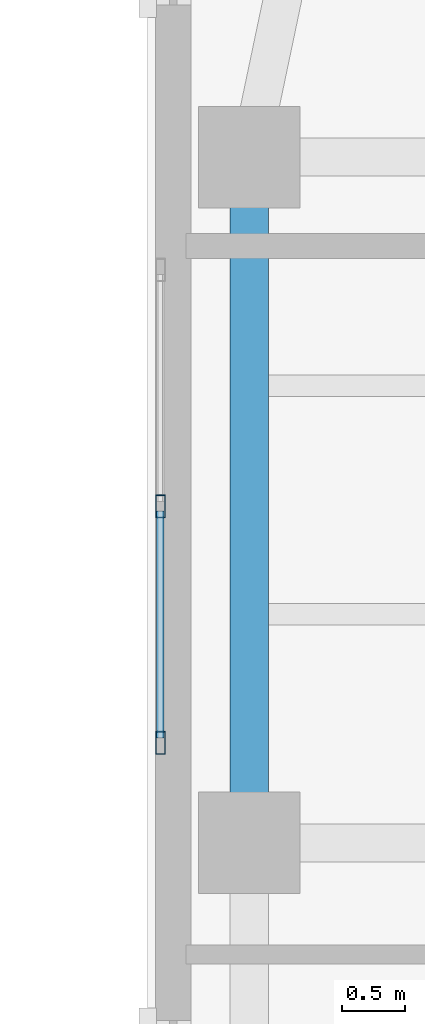
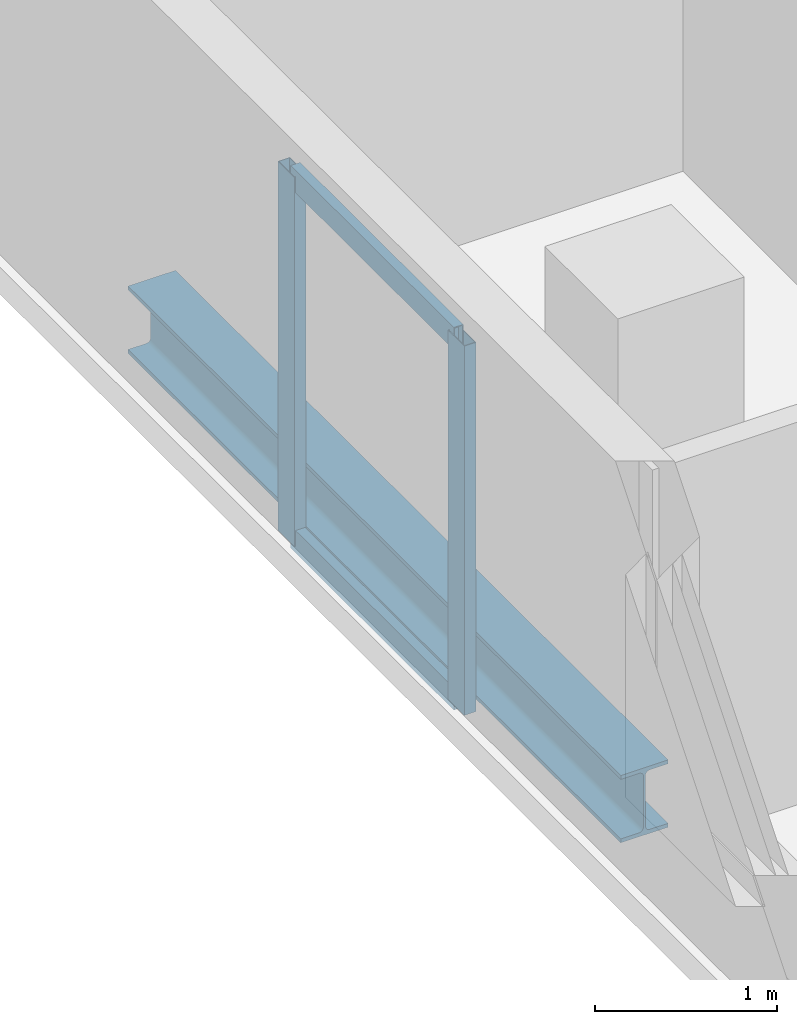
# One storey, part 4 of 11: 4 members, 1 beam, 1 element without a shape of its own.
"""IFC4 building model written with IfcOpenShell, lengths in metres."""

import ifcopenshell
import ifcopenshell.guid

model = None  # the IFC model being written
_history = None  # IfcOwnerHistory: only IFC2X3 demands one
_inside = {}  # id of a spatial element -> (the spatial element, [elements in it])
_under = {}  # id of a project, library or spatial element -> (it, [spatial elements below it])
_declared = {}  # id of a project -> (the project, [libraries it declares])
_typed = {}  # id of a type object -> (the type object, [elements of that type])
_made_of = {}  # id of a material, layer set ... -> (it, [elements and type objects made of it])


def new_model(schema):
    """Start an empty IFC model of exactly this schema.

    Asked for "IFC4X3", IfcOpenShell would pick the latest addendum, in which some entities
    have other attributes; the version numbers below select the first issue.
    IFC2X3 requires an IfcOwnerHistory on every rooted entity: one is made here for all.
    """
    global model, _history
    if schema == "IFC4X3":
        model = ifcopenshell.file(schema_version=(4, 3, 0, 0))
    else:
        model = ifcopenshell.file(schema=schema)
    _inside.clear()
    _under.clear()
    _declared.clear()
    _typed.clear()
    _made_of.clear()
    _history = None
    if model.schema == "IFC2X3":
        org = make("IfcOrganization", Name="unknown")
        user = make(
            "IfcPersonAndOrganization",
            ThePerson=make("IfcPerson", FamilyName="unknown"),
            TheOrganization=org,
        )
        app = make(
            "IfcApplication",
            ApplicationDeveloper=org,
            Version="unknown",
            ApplicationFullName="unknown",
            ApplicationIdentifier="unknown",
        )
        _history = make(
            "IfcOwnerHistory",
            OwningUser=user,
            OwningApplication=app,
            ChangeAction="ADDED",
            CreationDate=0,
        )
    return model


def make(cls, **values):
    """One entity of the class cls with the attributes given. An attribute that is None is left unset."""
    return model.create_entity(
        cls, **{name: value for name, value in values.items() if value is not None}
    )


def rooted(cls, **values):
    """An entity with a GlobalId (a new one), such as an element, a storey or a relation."""
    return make(cls, GlobalId=ifcopenshell.guid.new(), OwnerHistory=_history, **values)


def si_unit(unit_type, name, prefix=None):
    """IfcSIUnit, for example si_unit("LENGTHUNIT", "METRE", prefix="MILLI")."""
    return make("IfcSIUnit", UnitType=unit_type, Prefix=prefix, Name=name)


def assignment(units):
    """IfcUnitAssignment: the units of a project."""
    return None if units is None else make("IfcUnitAssignment", Units=units)


def point(xyz):
    """IfcCartesianPoint."""
    return None if xyz is None else make("IfcCartesianPoint", Coordinates=xyz)


def direction(xyz):
    """IfcDirection."""
    return None if xyz is None else make("IfcDirection", DirectionRatios=xyz)


def frame(location, z_axis=None, x_axis=None):
    """IfcAxis2Placement3D, a coordinate frame: its origin and axes. An axis left out is left unset."""
    return make(
        "IfcAxis2Placement3D",
        Location=point(location),
        Axis=direction(z_axis),
        RefDirection=direction(x_axis),
    )


def frame_2d(location, x_axis=None):
    """IfcAxis2Placement2D, a coordinate frame in the plane: its origin and x axis."""
    return make(
        "IfcAxis2Placement2D", Location=point(location), RefDirection=direction(x_axis)
    )


def origin():
    """The frame at (0, 0, 0) with its axes left unset."""
    return frame((0.0, 0.0, 0.0))


def origin_2d():
    """The frame at (0, 0) in the plane with its x axis left unset."""
    return frame_2d((0.0, 0.0))


def place(relative_to, where):
    """IfcLocalPlacement: puts the frame where relative to a parent placement (None: the world)."""
    return make(
        "IfcLocalPlacement", PlacementRelTo=relative_to, RelativePlacement=where
    )


def context(
    kind, dimensions, precision=None, world=None, true_north=None, identifier=None
):
    """IfcGeometricRepresentationContext, for example the 3D "Model" context."""
    return make(
        "IfcGeometricRepresentationContext",
        ContextIdentifier=identifier,
        ContextType=kind,
        CoordinateSpaceDimension=dimensions,
        Precision=precision,
        WorldCoordinateSystem=world,
        TrueNorth=true_north,
    )


def subcontext(parent, identifier, kind, view, scale=None):
    """IfcGeometricRepresentationSubContext, for example "Body" below "Model"."""
    return make(
        "IfcGeometricRepresentationSubContext",
        ContextIdentifier=identifier,
        ContextType=kind,
        ParentContext=parent,
        TargetScale=scale,
        TargetView=view,
    )


def project(units=None, contexts=None):
    """IfcProject with its units and contexts."""
    return rooted(
        "IfcProject",
        Name="project",
        RepresentationContexts=contexts,
        UnitsInContext=assignment(units),
    )


def spatial(cls, under=None, at=None, **own):
    """A site, building, storey or space (cls), placed at a placement, below another one or the project."""
    s = rooted(cls, ObjectPlacement=at, **own)
    if under is not None:
        _under.setdefault(under.id(), (under, []))[1].append(s)
    return s


def profile(cls, at=None, kind="AREA", **sizes):
    """A parametric profile (cls). Its sizes go by their IFC names, for example OverallWidth=200.0."""
    return make(cls, ProfileType=kind, Position=at, **sizes)


def hollow_rectangle(**sizes):
    """IfcRectangleHollowProfileDef."""
    return profile("IfcRectangleHollowProfileDef", **sizes)


def i_section(**sizes):
    """IfcIShapeProfileDef."""
    return profile("IfcIShapeProfileDef", **sizes)


def extrude(swept, where, along, depth):
    """IfcExtrudedAreaSolid: the profile swept, set in the frame where, extruded along a direction by depth."""
    return make(
        "IfcExtrudedAreaSolid",
        SweptArea=swept,
        Position=where,
        ExtrudedDirection=direction(along),
        Depth=depth,
    )


def shape(context_of_items, identifier, shape_type, items):
    """IfcShapeRepresentation: the items that make up one representation, for example the "Body"."""
    return make(
        "IfcShapeRepresentation",
        ContextOfItems=context_of_items,
        RepresentationIdentifier=identifier,
        RepresentationType=shape_type,
        Items=items,
    )


def material(Name=None, Category=None):
    """IfcMaterial."""
    return make("IfcMaterial", Name=Name, Category=Category)


def material_profile(
    of_material, cross_section, Name=None, Category=None, Priority=None
):
    """IfcMaterialProfile: a cross section and its material."""
    return make(
        "IfcMaterialProfile",
        Name=Name,
        Material=of_material,
        Profile=cross_section,
        Priority=Priority,
        Category=Category,
    )


def profile_set(profiles, Name=None, composite=None):
    """IfcMaterialProfileSet."""
    return make(
        "IfcMaterialProfileSet",
        Name=Name,
        MaterialProfiles=profiles,
        CompositeProfile=composite,
    )


def made_of(thing, what):
    """Note that an element or type object is made of a material, layer set ...; save() writes the relation."""
    if what is not None:
        _made_of.setdefault(what.id(), (what, []))[1].append(thing)
    return thing


def type_object(cls, material=None, **own):
    """A type object (cls), such as IfcWallType, which elements share."""
    return made_of(rooted(cls, **own), material)


def element(
    cls,
    number,
    at=None,
    inside=None,
    cuts=None,
    type_object=None,
    material=None,
    context=None,
    identifier="Body",
    shape_type=None,
    held_by="IfcProductDefinitionShape",
    body=None,
    shapes=None,
    **own,
):
    """One element of the class cls, such as IfcWall. Its Tag is "e" and its number.

    at: its placement. inside: the storey or other place that contains it. cuts: it is an
    opening in that element (IfcRelVoidsElement). A single representation is given by context,
    identifier, shape_type and body (its items); several are given by shapes. held_by: the class
    of the entity that holds the representations. save() writes the other relations.
    """
    e = rooted(cls, Tag="e%d" % number, ObjectPlacement=at, **own)
    if body is not None:
        shapes = [shape(context, identifier, shape_type, body)]
    if shapes is not None:
        e.Representation = make(held_by, Representations=shapes)
    if inside is not None:
        _inside.setdefault(inside.id(), (inside, []))[1].append(e)
    if cuts is not None:
        rooted(
            "IfcRelVoidsElement", RelatingBuildingElement=cuts, RelatedOpeningElement=e
        )
    if type_object is not None:
        _typed.setdefault(type_object.id(), (type_object, []))[1].append(e)
    return made_of(e, material)


def aggregate(whole, parts):
    """IfcRelAggregates: a whole, such as a stair, and the parts it consists of."""
    return rooted("IfcRelAggregates", RelatingObject=whole, RelatedObjects=parts)


def save(model, path):
    """Write the relations noted so far, then the file.

    IfcRelAggregates (storeys below a building ...), IfcRelContainedInSpatialStructure (elements
    in a storey), IfcRelDefinesByType, IfcRelAssociatesMaterial and IfcRelDeclares: one each for
    every whole, place, type object, material and project.
    """
    for whole, parts in _under.values():
        aggregate(whole, parts)
    for where, things in _inside.values():
        rooted(
            "IfcRelContainedInSpatialStructure",
            RelatedElements=things,
            RelatingStructure=where,
        )
    for kind, things in _typed.values():
        rooted("IfcRelDefinesByType", RelatedObjects=things, RelatingType=kind)
    for what, things in _made_of.values():
        rooted("IfcRelAssociatesMaterial", RelatedObjects=things, RelatingMaterial=what)
    for by, libraries in _declared.values():
        rooted("IfcRelDeclares", RelatingContext=by, RelatedDefinitions=libraries)
    model.write(path)


model = new_model("IFC4")

# Units and contexts
model_context = context("Model", 3, precision=1e-05, world=origin(), true_north=direction((0.0, 1.0)))
body_context = subcontext(model_context, "Body", "Model", "MODEL_VIEW")
ifc_project = project(units=[si_unit("LENGTHUNIT", "METRE"), si_unit("AREAUNIT", "SQUARE_METRE"), si_unit("VOLUMEUNIT", "CUBIC_METRE"), si_unit("PLANEANGLEUNIT", "RADIAN"), si_unit("MASSUNIT", "GRAM", prefix="KILO")], contexts=[model_context])

# Site, building, storey
site_placement = place(None, origin())
site = spatial("IfcSite", under=ifc_project, at=site_placement, CompositionType="ELEMENT")
building_placement = place(site_placement, origin())
building = spatial("IfcBuilding", under=site, at=building_placement, Name="Kuzgunbayir Cultural Tower", CompositionType="ELEMENT")
storey_placement = place(building_placement, frame((0.0, 0.0, 244.0)))
storey = spatial("IfcBuildingStorey", under=building, at=storey_placement, Name="L72", CompositionType="ELEMENT", Elevation=244.0)

# Beam
ifc_material_1 = material(Name="Steel S355J2", Category="steel")
ifc_material_profile_1 = material_profile(ifc_material_1, i_section(OverallWidth=0.300048828125, OverallDepth=0.449951171875, WebThickness=0.013916015625, FlangeThickness=0.02587890625, FilletRadius=0.027099609375, at=origin_2d()), Name="HEB 450")
ifc_profile_set_1 = profile_set([ifc_material_profile_1], Name="Steel S355J2")
beam_type = type_object("IfcBeamType", Name="BM-EXT-HEB450", PredefinedType="BEAM", material=ifc_profile_set_1)
beam_placement = place(storey_placement, frame((5.39990234375, 23.39990234375, -0.409912109375), z_axis=(0.0, 1.0, 0.0), x_axis=(-1.0, 0.0, 0.0)))
element("IfcBeam", 1, at=beam_placement, inside=storey, type_object=beam_type, Name="L72 Wing A West Girder 3", PredefinedType="BEAM", context=body_context, shape_type="SweptSolid", body=[
    extrude(i_section(OverallWidth=0.300048828125, OverallDepth=0.449951171875, WebThickness=0.013916015625, FlangeThickness=0.02587890625, FilletRadius=0.027099609375, at=origin_2d()), origin(), (0.0, 0.0, 1.0), 5.400146484375),
])

# Curtain wall, members
ifc_material_2 = material(Name="Anodised Aluminium Framing", Category="aluminium")
curtain_wall_type = type_object("IfcCurtainWallType", Name="CW06-OBSERVATORY", PredefinedType="NOTDEFINED", material=ifc_material_2)
curtain_wall_placement = place(storey_placement, origin())
curtain_wall = element("IfcCurtainWall", 2, at=curtain_wall_placement, inside=storey, type_object=curtain_wall_type, Name="L72 Crown Observatory West Curtain Wall", PredefinedType="NOTDEFINED")
ifc_material_profile_2 = material_profile(ifc_material_2, hollow_rectangle(XDim=0.074951171875, YDim=0.179931640625, WallThickness=0.0048828125, at=origin_2d()), Name="RHS 180x75x5")
ifc_profile_set_2 = profile_set([ifc_material_profile_2], Name="Anodised Aluminium Framing")
member_type_1 = type_object("IfcMemberType", Name="MEM-CW-MULLION-180", PredefinedType="MULLION", material=ifc_profile_set_2)
member_1_placement = place(storey_placement, frame((4.699951171875, 24.1875, 0.0), z_axis=(0.0, 0.0, 1.0), x_axis=(-1.0, 0.0, 0.0)))
member_1 = element("IfcMember", 3, at=member_1_placement, type_object=member_type_1, Name="CW06 mullion 1", PredefinedType="MULLION", context=body_context, shape_type="SweptSolid", body=[
    extrude(hollow_rectangle(XDim=0.074951171875, YDim=0.179931640625, WallThickness=0.0048828125, at=origin_2d()), origin(), (0.0, 0.0, 1.0), 2.469970703125),
])
member_2_placement = place(storey_placement, frame((4.699951171875, 26.050048828125, 0.0), z_axis=(0.0, 0.0, 1.0), x_axis=(-1.0, 0.0, 0.0)))
member_2 = element("IfcMember", 4, at=member_2_placement, type_object=member_type_1, Name="CW06 mullion 2", PredefinedType="MULLION", context=body_context, shape_type="SweptSolid", body=[
    extrude(hollow_rectangle(XDim=0.074951171875, YDim=0.179931640625, WallThickness=0.0048828125, at=origin_2d()), origin(), (0.0, 0.0, 1.0), 2.469970703125),
])
ifc_material_profile_3 = material_profile(ifc_material_2, hollow_rectangle(XDim=0.06005859375, YDim=0.14990234375, WallThickness=0.00390625, at=origin_2d()), Name="RHS 150x60x4")
ifc_profile_set_3 = profile_set([ifc_material_profile_3], Name="Anodised Aluminium Framing")
member_type_2 = type_object("IfcMemberType", Name="MEM-CW-TRANSOM-150", PredefinedType="USERDEFINED", material=ifc_profile_set_3)
member_3_placement = place(storey_placement, frame((4.699951171875, 24.22509765625, 0.030029296875), z_axis=(0.0, 1.0, 0.0), x_axis=(-1.0, 0.0, 0.0)))
member_3 = element("IfcMember", 5, at=member_3_placement, type_object=member_type_2, Name="CW06 transom 1.1", ObjectType="TRANSOM", PredefinedType="USERDEFINED", context=body_context, shape_type="SweptSolid", body=[
    extrude(hollow_rectangle(XDim=0.06005859375, YDim=0.14990234375, WallThickness=0.00390625, at=origin_2d()), origin(), (0.0, 0.0, 1.0), 1.787353515625),
])
member_4_placement = place(storey_placement, frame((4.699951171875, 24.22509765625, 2.43994140625), z_axis=(0.0, 1.0, 0.0), x_axis=(-1.0, 0.0, 0.0)))
member_4 = element("IfcMember", 6, at=member_4_placement, type_object=member_type_2, Name="CW06 transom 1.2", ObjectType="TRANSOM", PredefinedType="USERDEFINED", context=body_context, shape_type="SweptSolid", body=[
    extrude(hollow_rectangle(XDim=0.06005859375, YDim=0.14990234375, WallThickness=0.00390625, at=origin_2d()), origin(), (0.0, 0.0, 1.0), 1.787353515625),
])
aggregate(curtain_wall, [member_1, member_2, member_3, member_4])

save(model, "model.ifc")
